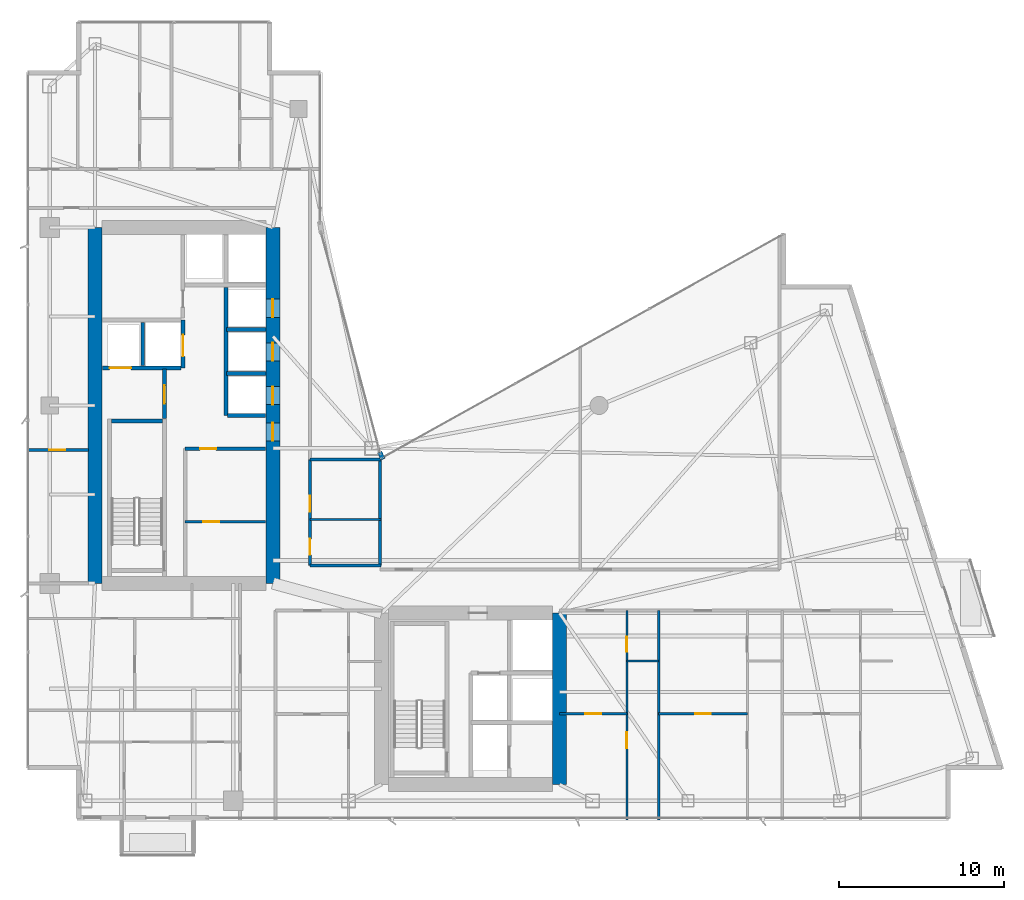
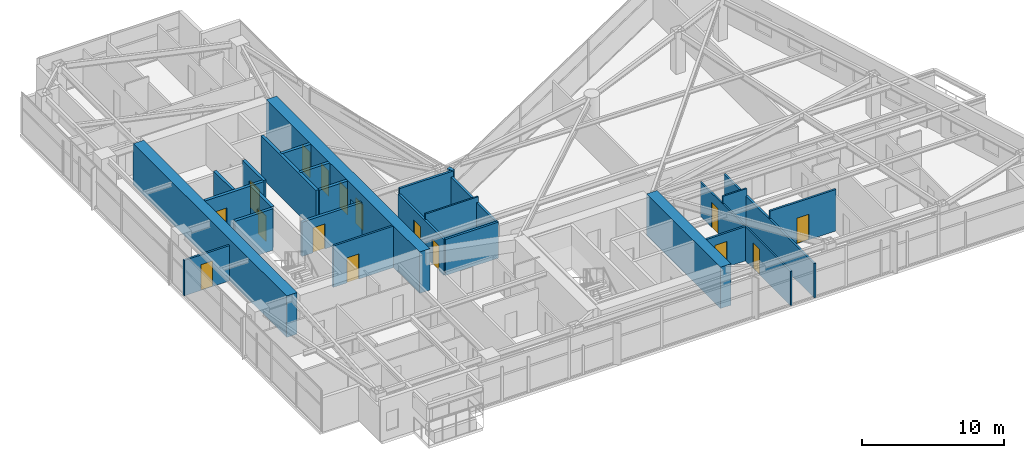
# One storey, part 23 of 28: 26 walls, 16 doors, 16 openings.
"""IFC4 building model written with IfcOpenShell, lengths in metres."""

from ifc_helpers import new_model, si_unit, direction, frame, frame_2d, origin, place, context, subcontext, project, spatial, rectangle, extrude, material, layer, layer_set, type_object, element, fill, save


model = new_model("IFC4")

# Units and contexts
model_context = context("Model", 3, precision=1e-05, world=origin(), true_north=direction((0.0, 1.0)))
body_context = subcontext(model_context, "Body", "Model", "MODEL_VIEW")
ifc_project = project(units=[si_unit("LENGTHUNIT", "METRE"), si_unit("AREAUNIT", "SQUARE_METRE"), si_unit("VOLUMEUNIT", "CUBIC_METRE"), si_unit("PLANEANGLEUNIT", "RADIAN"), si_unit("MASSUNIT", "GRAM", prefix="KILO")], contexts=[model_context])

# Site, building, storey
site_placement = place(None, origin())
site = spatial("IfcSite", under=ifc_project, at=site_placement, CompositionType="ELEMENT")
building_placement = place(site_placement, origin())
building = spatial("IfcBuilding", under=site, at=building_placement, Name="Calvorn Quay Hotel", CompositionType="ELEMENT")
storey_placement = place(building_placement, frame((0.0, 0.0, 152.300048828125)))
storey = spatial("IfcBuildingStorey", under=building, at=storey_placement, Name="L37", CompositionType="ELEMENT", Elevation=152.300048828125)

# Wall
ifc_material_1 = material(Name="Concrete C50", Category="concrete")
ifc_layer_1 = layer(ifc_material_1, 0.85009765625)
ifc_layer_set_1 = layer_set([ifc_layer_1], Name="WL-CORE-850")
wall_type_1 = type_object("IfcWallType", Name="WL-CORE-850", PredefinedType="SHEAR", material=ifc_layer_set_1)
wall_1_placement = place(storey_placement, frame((4.199951171875, 16.800048828125, 0.0), z_axis=(0.0, 0.0, 1.0), x_axis=(0.0, 1.0, 0.0)))
element("IfcWall", 1, at=wall_1_placement, inside=storey, type_object=wall_type_1, Name="West Core Shear Wall W (L37)", PredefinedType="SHEAR", context=body_context, shape_type="SweptSolid", body=[
    extrude(rectangle(XDim=21.599853515625, YDim=0.85009765625, at=frame_2d((10.7998046875, 0.0))), origin(), (0.0, 0.0, 1.0), 3.56005859375),
])

# Wall, openings, doors
wall_2_placement = place(storey_placement, frame((15.0, 16.800048828125, 0.0), z_axis=(0.0, 0.0, 1.0), x_axis=(0.0, 1.0, 0.0)))
wall_2 = element("IfcWall", 2, at=wall_2_placement, inside=storey, type_object=wall_type_1, Name="West Core Shear Wall E (L37)", PredefinedType="SHEAR", context=body_context, shape_type="SweptSolid", body=[
    extrude(rectangle(XDim=21.599853515625, YDim=0.85009765625, at=frame_2d((10.7998046875, 0.0))), origin(), (0.0, 0.0, 1.0), 3.56005859375),
])
opening_1_placement = place(wall_2_placement, frame((8.64990234375, 0.0, 0.0)))
opening_1 = element("IfcOpeningElement", 3, at=opening_1_placement, cuts=wall_2, Name="Opening D-L37-CW1", PredefinedType="OPENING", context=body_context, shape_type="SweptSolid", body=[
    extrude(rectangle(XDim=1.10009765625, YDim=2.199951171875, at=frame_2d((0.550048828125, 1.10009765625))), frame((0.0, 0.43505859375, 0.0), z_axis=(0.0, -1.0, 0.0), x_axis=(1.0, 0.0, 0.0)), (0.0, 0.0, 1.0), 0.8701171875),
])
opening_2_placement = place(wall_2_placement, frame((10.85009765625, 0.0, 0.0)))
opening_2 = element("IfcOpeningElement", 4, at=opening_2_placement, cuts=wall_2, Name="Opening LD-L37-M1", PredefinedType="OPENING", context=body_context, shape_type="SweptSolid", body=[
    extrude(rectangle(XDim=1.10009765625, YDim=2.199951171875, at=frame_2d((0.550048828125, 1.10009765625))), frame((0.0, 0.43505859375, 0.0), z_axis=(0.0, -1.0, 0.0), x_axis=(1.0, 0.0, 0.0)), (0.0, 0.0, 1.0), 0.8701171875),
])
opening_3_placement = place(wall_2_placement, frame((13.5, 0.0, 0.0)))
opening_3 = element("IfcOpeningElement", 5, at=opening_3_placement, cuts=wall_2, Name="Opening LD-L37-M2", PredefinedType="OPENING", context=body_context, shape_type="SweptSolid", body=[
    extrude(rectangle(XDim=1.10009765625, YDim=2.199951171875, at=frame_2d((0.550048828125, 1.10009765625))), frame((0.0, 0.43505859375, 0.0), z_axis=(0.0, -1.0, 0.0), x_axis=(1.0, 0.0, 0.0)), (0.0, 0.0, 1.0), 0.8701171875),
])
opening_4_placement = place(wall_2_placement, frame((16.14990234375, 0.0, 0.0)))
opening_4 = element("IfcOpeningElement", 6, at=opening_4_placement, cuts=wall_2, Name="Opening LD-L37-M3", PredefinedType="OPENING", context=body_context, shape_type="SweptSolid", body=[
    extrude(rectangle(XDim=1.10009765625, YDim=2.199951171875, at=frame_2d((0.550048828125, 1.10009765625))), frame((0.0, 0.43505859375, 0.0), z_axis=(0.0, -1.0, 0.0), x_axis=(1.0, 0.0, 0.0)), (0.0, 0.0, 1.0), 0.8701171875),
])
ifc_material_2 = material(Name="Smoke-Sealed Steel Class A Fire Door", Category="steel")
door_type_1 = type_object("IfcDoorType", Name="DR-FFLOBBY-1100", OperationType="NOTDEFINED", PredefinedType="DOOR", material=ifc_material_2)
door_1_placement = place(opening_1_placement, origin())
door_1 = element("IfcDoor", 7, at=door_1_placement, inside=storey, type_object=door_type_1, Name="West Core Vestibule Fire Door (L37)", OperationType="SINGLE_SWING_RIGHT", OverallHeight=2.199951171875, OverallWidth=1.10009765625, PredefinedType="DOOR", context=body_context, shape_type="SweptSolid", body=[
    extrude(rectangle(XDim=1.10009765625, YDim=2.199951171875, at=frame_2d((0.550048828125, 1.10009765625))), frame((0.0, 0.02490234375, 0.0), z_axis=(0.0, -1.0, 0.0), x_axis=(1.0, 0.0, 0.0)), (0.0, 0.0, 1.0), 0.050048828125),
])
fill(opening_1, door_1)
ifc_material_3 = material(Name="Brushed Stainless Steel Sliding Lift Landing Door", Category="steel")
door_type_2 = type_object("IfcDoorType", Name="DR-LIFT-PASS-1100", OperationType="NOTDEFINED", PredefinedType="DOOR", material=ifc_material_3)
door_2_placement = place(opening_2_placement, origin())
door_2 = element("IfcDoor", 8, at=door_2_placement, inside=storey, type_object=door_type_2, Name="Mid-Rise Lift PL-M1 Landing Door (L37)", OperationType="DOUBLE_DOOR_SLIDING", OverallHeight=2.199951171875, OverallWidth=1.10009765625, PredefinedType="DOOR", context=body_context, shape_type="SweptSolid", body=[
    extrude(rectangle(XDim=1.10009765625, YDim=2.199951171875, at=frame_2d((0.550048828125, 1.10009765625))), frame((0.0, 0.02490234375, 0.0), z_axis=(0.0, -1.0, 0.0), x_axis=(1.0, 0.0, 0.0)), (0.0, 0.0, 1.0), 0.050048828125),
])
fill(opening_2, door_2)
door_3_placement = place(opening_3_placement, origin())
door_3 = element("IfcDoor", 9, at=door_3_placement, inside=storey, type_object=door_type_2, Name="Mid-Rise Lift PL-M2 Landing Door (L37)", OperationType="DOUBLE_DOOR_SLIDING", OverallHeight=2.199951171875, OverallWidth=1.10009765625, PredefinedType="DOOR", context=body_context, shape_type="SweptSolid", body=[
    extrude(rectangle(XDim=1.10009765625, YDim=2.199951171875, at=frame_2d((0.550048828125, 1.10009765625))), frame((0.0, 0.02490234375, 0.0), z_axis=(0.0, -1.0, 0.0), x_axis=(1.0, 0.0, 0.0)), (0.0, 0.0, 1.0), 0.050048828125),
])
fill(opening_3, door_3)
door_4_placement = place(opening_4_placement, origin())
door_4 = element("IfcDoor", 10, at=door_4_placement, inside=storey, type_object=door_type_2, Name="Mid-Rise Lift PL-M3 Landing Door (L37)", OperationType="DOUBLE_DOOR_SLIDING", OverallHeight=2.199951171875, OverallWidth=1.10009765625, PredefinedType="DOOR", context=body_context, shape_type="SweptSolid", body=[
    extrude(rectangle(XDim=1.10009765625, YDim=2.199951171875, at=frame_2d((0.550048828125, 1.10009765625))), frame((0.0, 0.02490234375, 0.0), z_axis=(0.0, -1.0, 0.0), x_axis=(1.0, 0.0, 0.0)), (0.0, 0.0, 1.0), 0.050048828125),
])
fill(opening_4, door_4)

# Walls
wall_3_placement = place(storey_placement, frame((32.39990234375, 4.60009765625, 0.0), z_axis=(0.0, 0.0, 1.0), x_axis=(0.0, 1.0, 0.0)))
element("IfcWall", 11, at=wall_3_placement, inside=storey, type_object=wall_type_1, Name="East Core Shear Wall E (L37)", PredefinedType="SHEAR", context=body_context, shape_type="SweptSolid", body=[
    extrude(rectangle(XDim=10.39990234375, YDim=0.85009765625, at=frame_2d((5.199951171875, 0.0))), origin(), (0.0, 0.0, 1.0), 3.56005859375),
])
ifc_material_4 = material(Name="Acoustic Fireboard Steel-Stud Partition", Category="steel")
ifc_layer_2 = layer(ifc_material_4, 0.179931640625)
ifc_layer_set_2 = layer_set([ifc_layer_2], Name="WL-CORR-FIRE-180")
wall_type_2 = type_object("IfcWallType", Name="WL-CORR-FIRE-180", PredefinedType="PARTITIONING", material=ifc_layer_set_2)
wall_4_placement = place(storey_placement, frame((17.25, 17.8798828125, 0.0), z_axis=(0.0, 0.0, 1.0), x_axis=(1.0, 0.0, 0.0)))
element("IfcWall", 12, at=wall_4_placement, inside=storey, type_object=wall_type_2, Name="Partition Wall L37-WL-HK-S", PredefinedType="PARTITIONING", context=body_context, shape_type="SweptSolid", body=[
    extrude(rectangle(XDim=4.300048828125, YDim=0.179931640625, at=frame_2d((2.14990234375, 0.0))), origin(), (0.0, 0.0, 1.0), 3.08984375),
])
wall_5_placement = place(storey_placement, frame((17.25, 24.320068359375, 0.0), z_axis=(0.0, 0.0, 1.0), x_axis=(1.0, 0.0, 0.0)))
element("IfcWall", 13, at=wall_5_placement, inside=storey, type_object=wall_type_2, Name="Partition Wall L37-WL-HK-N", PredefinedType="PARTITIONING", context=body_context, shape_type="SweptSolid", body=[
    extrude(rectangle(XDim=4.35009765625, YDim=0.179931640625, at=frame_2d((2.175048828125, 0.0))), origin(), (0.0, 0.0, 1.0), 3.56005859375),
])
wall_6_placement = place(storey_placement, frame((21.5, 17.8798828125, 0.0), z_axis=(0.0, 0.0, 1.0), x_axis=(0.0, 1.0, 0.0)))
element("IfcWall", 14, at=wall_6_placement, inside=storey, type_object=wall_type_2, Name="Partition Wall L37-WL-HK-E", PredefinedType="PARTITIONING", context=body_context, shape_type="SweptSolid", body=[
    extrude(rectangle(XDim=6.440185546875, YDim=0.179931640625, at=frame_2d((3.22021484375, 0.0))), origin(), (0.0, 0.0, 1.0), 3.08984375),
])

# Wall, openings, doors
wall_7_placement = place(storey_placement, frame((17.25, 17.8798828125, 0.0), z_axis=(0.0, 0.0, 1.0), x_axis=(0.0, 1.0, 0.0)))
wall_7 = element("IfcWall", 15, at=wall_7_placement, inside=storey, type_object=wall_type_2, Name="Partition Wall L37-WL-HK-W", PredefinedType="PARTITIONING", context=body_context, shape_type="SweptSolid", body=[
    extrude(rectangle(XDim=6.440185546875, YDim=0.179931640625, at=frame_2d((3.22021484375, 0.0))), origin(), (0.0, 0.0, 1.0), 3.08984375),
])
opening_5_placement = place(wall_7_placement, frame((0.64990234375, 0.0, 0.0)))
opening_5 = element("IfcOpeningElement", 16, at=opening_5_placement, cuts=wall_7, Name="Opening D-L37-HK", PredefinedType="OPENING", context=body_context, shape_type="SweptSolid", body=[
    extrude(rectangle(XDim=0.97998046875, YDim=2.14990234375, at=frame_2d((0.489990234375, 1.074951171875))), frame((0.0, 0.099853515625, 0.0), z_axis=(0.0, -1.0, 0.0), x_axis=(1.0, 0.0, 0.0)), (0.0, 0.0, 1.0), 0.199951171875),
])
opening_6_placement = place(wall_7_placement, frame((3.27001953125, 0.0, 0.0)))
opening_6 = element("IfcOpeningElement", 17, at=opening_6_placement, cuts=wall_7, Name="Opening D-L37-NCP", PredefinedType="OPENING", context=body_context, shape_type="SweptSolid", body=[
    extrude(rectangle(XDim=0.9599609375, YDim=2.199951171875, at=frame_2d((0.47998046875, 1.10009765625))), frame((0.0, 0.099853515625, 0.0), z_axis=(0.0, -1.0, 0.0), x_axis=(1.0, 0.0, 0.0)), (0.0, 0.0, 1.0), 0.199951171875),
])
ifc_material_5 = material(Name="Painted Steel Housekeeping/Riser Fire Door", Category="steel")
door_type_3 = type_object("IfcDoorType", Name="DR-SERVICE-980", OperationType="NOTDEFINED", PredefinedType="DOOR", material=ifc_material_5)
door_5_placement = place(opening_5_placement, origin())
door_5 = element("IfcDoor", 18, at=door_5_placement, inside=storey, type_object=door_type_3, Name="Floor Housekeeping Door (L37)", OperationType="SINGLE_SWING_LEFT", OverallHeight=2.14990234375, OverallWidth=0.97998046875, PredefinedType="DOOR", context=body_context, shape_type="SweptSolid", body=[
    extrude(rectangle(XDim=0.97998046875, YDim=2.14990234375, at=frame_2d((0.489990234375, 1.074951171875))), frame((0.0, 0.02490234375, 0.0), z_axis=(0.0, -1.0, 0.0), x_axis=(1.0, 0.0, 0.0)), (0.0, 0.0, 1.0), 0.050048828125),
])
fill(opening_5, door_5)
ifc_material_6 = material(Name="Solid Timber Internal Suite Door", Category="wood")
door_type_4 = type_object("IfcDoorType", Name="DR-SUITE-INT-960", OperationType="NOTDEFINED", PredefinedType="DOOR", material=ifc_material_6)
door_6_placement = place(opening_6_placement, origin())
door_6 = element("IfcDoor", 19, at=door_6_placement, inside=storey, type_object=door_type_4, Name="Reading Alcove Door (L37)", OperationType="SINGLE_SWING_RIGHT", OverallHeight=2.199951171875, OverallWidth=0.9599609375, PredefinedType="DOOR", context=body_context, shape_type="SweptSolid", body=[
    extrude(rectangle(XDim=0.9599609375, YDim=2.199951171875, at=frame_2d((0.47998046875, 1.10009765625))), frame((0.0, 0.02490234375, 0.0), z_axis=(0.0, -1.0, 0.0), x_axis=(1.0, 0.0, 0.0)), (0.0, 0.0, 1.0), 0.050048828125),
])
fill(opening_6, door_6)

# Walls
ifc_material_7 = material(Name="Moisture-Resistant Tile-Backed Partition")
ifc_layer_3 = layer(ifc_material_7, 0.125)
ifc_layer_set_3 = layer_set([ifc_layer_3], Name="WL-ENSUITE-125")
wall_type_3 = type_object("IfcWallType", Name="WL-ENSUITE-125", PredefinedType="PARTITIONING", material=ifc_layer_set_3)
wall_8_placement = place(storey_placement, frame((17.25, 20.679931640625, 0.0), z_axis=(0.0, 0.0, 1.0), x_axis=(1.0, 0.0, 0.0)))
element("IfcWall", 20, at=wall_8_placement, inside=storey, type_object=wall_type_3, Name="Partition Wall L37-WL-HK-M", PredefinedType="PARTITIONING", context=body_context, shape_type="SweptSolid", body=[
    extrude(rectangle(XDim=4.300048828125, YDim=0.125, at=frame_2d((2.14990234375, 0.0))), origin(), (0.0, 0.0, 1.0), 3.56005859375),
])
wall_9_placement = place(storey_placement, frame((36.489990234375, 12.10009765625, 0.0), z_axis=(0.0, 0.0, 1.0), x_axis=(1.0, 0.0, 0.0)))
element("IfcWall", 21, at=wall_9_placement, inside=storey, type_object=wall_type_3, Name="Partition Wall L37-WL-U06-BDV", PredefinedType="PARTITIONING", context=body_context, shape_type="SweptSolid", body=[
    extrude(rectangle(XDim=1.929931640625, YDim=0.125, at=frame_2d((0.96484375, 0.0))), origin(), (0.0, 0.0, 1.0), 3.56005859375),
])

# Wall, openings, doors
wall_10_placement = place(storey_placement, frame((36.489990234375, 2.43994140625, 0.0), z_axis=(0.0, 0.0, 1.0), x_axis=(0.0, 1.0, 0.0)))
wall_10 = element("IfcWall", 22, at=wall_10_placement, inside=storey, type_object=wall_type_3, Name="Partition Wall L37-WL-U06-BV", PredefinedType="PARTITIONING", context=body_context, shape_type="SweptSolid", body=[
    extrude(rectangle(XDim=12.7099609375, YDim=0.125, at=frame_2d((6.35498046875, 0.0))), origin(), (0.0, 0.0, 1.0), 2.93994140625),
])
opening_7_placement = place(wall_10_placement, frame((4.35009765625, 0.0, 0.0)))
opening_7 = element("IfcOpeningElement", 23, at=opening_7_placement, cuts=wall_10, Name="Opening D-L37-S06", PredefinedType="OPENING", context=body_context, shape_type="SweptSolid", body=[
    extrude(rectangle(XDim=0.9599609375, YDim=2.199951171875, at=frame_2d((0.47998046875, 1.10009765625))), frame((0.0, 0.072509765625, 0.0), z_axis=(0.0, -1.0, 0.0), x_axis=(1.0, 0.0, 0.0)), (0.0, 0.0, 1.0), 0.14501953125),
])
opening_8_placement = place(wall_10_placement, frame((10.2099609375, 0.0, 0.0)))
opening_8 = element("IfcOpeningElement", 24, at=opening_8_placement, cuts=wall_10, Name="Opening D-L37-E06", PredefinedType="OPENING", context=body_context, shape_type="SweptSolid", body=[
    extrude(rectangle(XDim=0.89990234375, YDim=2.14990234375, at=frame_2d((0.449951171875, 1.074951171875))), frame((0.0, 0.072509765625, 0.0), z_axis=(0.0, -1.0, 0.0), x_axis=(1.0, 0.0, 0.0)), (0.0, 0.0, 1.0), 0.14501953125),
])
ifc_material_8 = material(Name="Moisture-Sealed Timber En-Suite Door", Category="wood")
door_type_5 = type_object("IfcDoorType", Name="DR-ENSUITE-900", OperationType="NOTDEFINED", PredefinedType="DOOR", material=ifc_material_8)
door_7_placement = place(opening_8_placement, origin())
door_7 = element("IfcDoor", 25, at=door_7_placement, inside=storey, type_object=door_type_5, Name="En-Suite Door 06", OperationType="SINGLE_SWING_RIGHT", OverallHeight=2.14990234375, OverallWidth=0.89990234375, PredefinedType="DOOR", context=body_context, shape_type="SweptSolid", body=[
    extrude(rectangle(XDim=0.89990234375, YDim=2.14990234375, at=frame_2d((0.449951171875, 1.074951171875))), frame((0.0, 0.02490234375, 0.0), z_axis=(0.0, -1.0, 0.0), x_axis=(1.0, 0.0, 0.0)), (0.0, 0.0, 1.0), 0.050048828125),
])
fill(opening_8, door_7)
door_8_placement = place(opening_7_placement, origin())
door_8 = element("IfcDoor", 26, at=door_8_placement, inside=storey, type_object=door_type_4, Name="Spa Therapy Room Door 06", OperationType="SINGLE_SWING_LEFT", OverallHeight=2.199951171875, OverallWidth=0.9599609375, PredefinedType="DOOR", context=body_context, shape_type="SweptSolid", body=[
    extrude(rectangle(XDim=0.9599609375, YDim=2.199951171875, at=frame_2d((0.47998046875, 1.10009765625))), frame((0.0, 0.02490234375, 0.0), z_axis=(0.0, -1.0, 0.0), x_axis=(1.0, 0.0, 0.0)), (0.0, 0.0, 1.0), 0.050048828125),
])
fill(opening_7, door_8)

# Wall
ifc_material_9 = material(Name="Concrete C40", Category="concrete")
ifc_layer_4 = layer(ifc_material_9, 0.320068359375)
ifc_layer_set_4 = layer_set([ifc_layer_4], Name="WL-EXT-SPANDREL-320")
wall_type_4 = type_object("IfcWallType", Name="WL-EXT-SPANDREL-320", PredefinedType="SOLIDWALL", material=ifc_layer_set_4)
wall_11_placement = place(storey_placement, frame((21.679931640625, 24.340087890625, 0.0), z_axis=(0.0, 0.0, 1.0), x_axis=(-0.40758134973, 0.913168901875, 0.0)))
element("IfcWall", 27, at=wall_11_placement, inside=storey, type_object=wall_type_4, Name="Inner Court Corner Pier L37-ICJ1", PredefinedType="SOLIDWALL", context=body_context, shape_type="SweptSolid", body=[
    extrude(rectangle(XDim=0.470703125, YDim=0.280029296875, at=frame_2d((0.2353515625, 0.0))), origin(), (0.0, 0.0, 1.0), 3.56005859375),
])

# Wall, opening, door
ifc_material_10 = material(Name="Double-Stud Acoustic Gypsum Partition")
ifc_layer_5 = layer(ifc_material_10, 0.159912109375)
ifc_layer_set_5 = layer_set([ifc_layer_5], Name="WL-INTERSUITE-160")
wall_type_5 = type_object("IfcWallType", Name="WL-INTERSUITE-160", PredefinedType="PARTITIONING", material=ifc_layer_set_5)
wall_12_placement = place(storey_placement, frame((9.679931640625, 20.550048828125, 0.0), z_axis=(0.0, 0.0, 1.0), x_axis=(1.0, 0.0, 0.0)))
wall_12 = element("IfcWall", 28, at=wall_12_placement, inside=storey, type_object=wall_type_5, Name="Partition Wall L37-WL-CWW-FR-SPLIT", PredefinedType="PARTITIONING", context=body_context, shape_type="SweptSolid", body=[
    extrude(rectangle(XDim=4.875, YDim=0.159912109375, at=frame_2d((2.4375, 0.0))), origin(), (0.0, 0.0, 1.0), 3.56005859375),
])
opening_9_placement = place(wall_12_placement, frame((1.10009765625, 0.0, 0.0)))
opening_9 = element("IfcOpeningElement", 29, at=opening_9_placement, cuts=wall_12, Name="Opening D-L37-FRL1", PredefinedType="OPENING", context=body_context, shape_type="SweptSolid", body=[
    extrude(rectangle(XDim=0.97998046875, YDim=2.14990234375, at=frame_2d((0.489990234375, 1.074951171875))), frame((0.0, 0.08984375, 0.0), z_axis=(0.0, -1.0, 0.0), x_axis=(1.0, 0.0, 0.0)), (0.0, 0.0, 1.0), 0.179931640625),
])
door_9_placement = place(opening_9_placement, origin())
door_9 = element("IfcDoor", 30, at=door_9_placement, inside=storey, type_object=door_type_3, Name="Linen Store Room Door (L37)", OperationType="SINGLE_SWING_LEFT", OverallHeight=2.14990234375, OverallWidth=0.97998046875, PredefinedType="DOOR", context=body_context, shape_type="SweptSolid", body=[
    extrude(rectangle(XDim=0.97998046875, YDim=2.14990234375, at=frame_2d((0.489990234375, 1.074951171875))), frame((0.0, 0.02490234375, 0.0), z_axis=(0.0, -1.0, 0.0), x_axis=(1.0, 0.0, 0.0)), (0.0, 0.0, 1.0), 0.050048828125),
])
fill(opening_9, door_9)

wall_13_placement = place(storey_placement, frame((0.080078125, 24.89990234375, 0.0), z_axis=(0.0, 0.0, 1.0), x_axis=(1.0, 0.0, 0.0)))
wall_13 = element("IfcWall", 31, at=wall_13_placement, inside=storey, type_object=wall_type_5, Name="Partition Wall L37-WL-WBAY-DIV", PredefinedType="PARTITIONING", context=body_context, shape_type="SweptSolid", body=[
    extrude(rectangle(XDim=3.724853515625, YDim=0.159912109375, at=frame_2d((1.8623046875, 0.0))), origin(), (0.0, 0.0, 1.0), 3.0400390625),
])
opening_10_placement = place(wall_13_placement, frame((1.35009765625, 0.0, 0.0)))
opening_10 = element("IfcOpeningElement", 32, at=opening_10_placement, cuts=wall_13, Name="Opening D-L37-WBD", PredefinedType="OPENING", context=body_context, shape_type="SweptSolid", body=[
    extrude(rectangle(XDim=0.9599609375, YDim=2.199951171875, at=frame_2d((0.47998046875, 1.10009765625))), frame((0.0, 0.08984375, 0.0), z_axis=(0.0, -1.0, 0.0), x_axis=(1.0, 0.0, 0.0)), (0.0, 0.0, 1.0), 0.179931640625),
])
door_10_placement = place(opening_10_placement, origin())
door_10 = element("IfcDoor", 33, at=door_10_placement, inside=storey, type_object=door_type_4, Name="West Bay Connecting Door (L37)", OperationType="SINGLE_SWING_LEFT", OverallHeight=2.199951171875, OverallWidth=0.9599609375, PredefinedType="DOOR", context=body_context, shape_type="SweptSolid", body=[
    extrude(rectangle(XDim=0.9599609375, YDim=2.199951171875, at=frame_2d((0.47998046875, 1.10009765625))), frame((0.0, 0.02490234375, 0.0), z_axis=(0.0, -1.0, 0.0), x_axis=(1.0, 0.0, 0.0)), (0.0, 0.0, 1.0), 0.050048828125),
])
fill(opening_10, door_10)

wall_14_placement = place(storey_placement, frame((32.39990234375, 8.8798828125, 0.0), z_axis=(0.0, 0.0, 1.0), x_axis=(1.0, 0.0, 0.0)))
wall_14 = element("IfcWall", 34, at=wall_14_placement, inside=storey, type_object=wall_type_5, Name="Partition Wall L37-WL-U06-MSP", PredefinedType="PARTITIONING", context=body_context, shape_type="SweptSolid", body=[
    extrude(rectangle(XDim=4.090087890625, YDim=0.159912109375, at=frame_2d((2.044921875, 0.0))), origin(), (0.0, 0.0, 1.0), 2.93994140625),
])
opening_11_placement = place(wall_14_placement, frame((1.570068359375, 0.0, 0.0)))
opening_11 = element("IfcOpeningElement", 35, at=opening_11_placement, cuts=wall_14, Name="Opening D-L37-M06", PredefinedType="OPENING", context=body_context, shape_type="SweptSolid", body=[
    extrude(rectangle(XDim=0.9599609375, YDim=2.199951171875, at=frame_2d((0.47998046875, 1.10009765625))), frame((0.0, 0.08984375, 0.0), z_axis=(0.0, -1.0, 0.0), x_axis=(1.0, 0.0, 0.0)), (0.0, 0.0, 1.0), 0.179931640625),
])
door_11_placement = place(opening_11_placement, origin())
door_11 = element("IfcDoor", 36, at=door_11_placement, inside=storey, type_object=door_type_4, Name="Suite Bedroom Door 06", OperationType="SINGLE_SWING_LEFT", OverallHeight=2.199951171875, OverallWidth=0.9599609375, PredefinedType="DOOR", context=body_context, shape_type="SweptSolid", body=[
    extrude(rectangle(XDim=0.9599609375, YDim=2.199951171875, at=frame_2d((0.47998046875, 1.10009765625))), frame((0.0, 0.02490234375, 0.0), z_axis=(0.0, -1.0, 0.0), x_axis=(1.0, 0.0, 0.0)), (0.0, 0.0, 1.0), 0.050048828125),
])
fill(opening_11, door_11)

wall_15_placement = place(storey_placement, frame((38.419921875, 8.8798828125, 0.0), z_axis=(0.0, 0.0, 1.0), x_axis=(1.0, 0.0, 0.0)))
wall_15 = element("IfcWall", 37, at=wall_15_placement, inside=storey, type_object=wall_type_5, Name="Partition Wall L37-WL-U07-MSP", PredefinedType="PARTITIONING", context=body_context, shape_type="SweptSolid", body=[
    extrude(rectangle(XDim=5.380126953125, YDim=0.159912109375, at=frame_2d((2.68994140625, 0.0))), origin(), (0.0, 0.0, 1.0), 3.56005859375),
])
opening_12_placement = place(wall_15_placement, frame((2.2099609375, 0.0, 0.0)))
opening_12 = element("IfcOpeningElement", 38, at=opening_12_placement, cuts=wall_15, Name="Opening D-L37-M07", PredefinedType="OPENING", context=body_context, shape_type="SweptSolid", body=[
    extrude(rectangle(XDim=0.9599609375, YDim=2.199951171875, at=frame_2d((0.47998046875, 1.10009765625))), frame((0.0, 0.08984375, 0.0), z_axis=(0.0, -1.0, 0.0), x_axis=(1.0, 0.0, 0.0)), (0.0, 0.0, 1.0), 0.179931640625),
])
door_12_placement = place(opening_12_placement, origin())
door_12 = element("IfcDoor", 39, at=door_12_placement, inside=storey, type_object=door_type_4, Name="Suite Bedroom Door 07", OperationType="SINGLE_SWING_LEFT", OverallHeight=2.199951171875, OverallWidth=0.9599609375, PredefinedType="DOOR", context=body_context, shape_type="SweptSolid", body=[
    extrude(rectangle(XDim=0.9599609375, YDim=2.199951171875, at=frame_2d((0.47998046875, 1.10009765625))), frame((0.0, 0.02490234375, 0.0), z_axis=(0.0, -1.0, 0.0), x_axis=(1.0, 0.0, 0.0)), (0.0, 0.0, 1.0), 0.050048828125),
])
fill(opening_12, door_12)

# Wall
wall_16_placement = place(storey_placement, frame((38.419921875, 2.43994140625, 0.0), z_axis=(0.0, 0.0, 1.0), x_axis=(0.0, 1.0, 0.0)))
element("IfcWall", 40, at=wall_16_placement, inside=storey, type_object=wall_type_5, Name="Partition Wall L37-WL-SE-DIV-1", PredefinedType="PARTITIONING", context=body_context, shape_type="SweptSolid", body=[
    extrude(rectangle(XDim=12.7099609375, YDim=0.159912109375, at=frame_2d((6.35498046875, 0.0))), origin(), (0.0, 0.0, 1.0), 2.93994140625),
])

# Wall, opening, door
ifc_material_11 = material(Name="Autoclaved Aerated Masonry Block", Category="masonry")
ifc_layer_6 = layer(ifc_material_11, 0.219970703125)
ifc_layer_set_6 = layer_set([ifc_layer_6], Name="WL-LOBBY-FIRE-220")
wall_type_6 = type_object("IfcWallType", Name="WL-LOBBY-FIRE-220", PredefinedType="SOLIDWALL", material=ifc_layer_set_6)
wall_17_placement = place(storey_placement, frame((9.679931640625, 24.969970703125, 0.0), z_axis=(0.0, 0.0, 1.0), x_axis=(1.0, 0.0, 0.0)))
wall_17 = element("IfcWall", 41, at=wall_17_placement, inside=storey, type_object=wall_type_6, Name="Partition Wall L37-WL-CWW-FR-N", PredefinedType="SOLIDWALL", context=body_context, shape_type="SweptSolid", body=[
    extrude(rectangle(XDim=4.875, YDim=0.219970703125, at=frame_2d((2.4375, 0.0))), origin(), (0.0, 0.0, 1.0), 2.93994140625),
])
opening_13_placement = place(wall_17_placement, frame((0.89990234375, 0.0, 0.0)))
opening_13 = element("IfcOpeningElement", 42, at=opening_13_placement, cuts=wall_17, Name="Opening D-L37-FRL2", PredefinedType="OPENING", context=body_context, shape_type="SweptSolid", body=[
    extrude(rectangle(XDim=0.97998046875, YDim=2.14990234375, at=frame_2d((0.489990234375, 1.074951171875))), frame((0.0, 0.119873046875, 0.0), z_axis=(0.0, -1.0, 0.0), x_axis=(1.0, 0.0, 0.0)), (0.0, 0.0, 1.0), 0.239990234375),
])
door_13_placement = place(opening_13_placement, origin())
door_13 = element("IfcDoor", 43, at=door_13_placement, inside=storey, type_object=door_type_3, Name="Beverage Pantry Door (L37)", OperationType="SINGLE_SWING_RIGHT", OverallHeight=2.14990234375, OverallWidth=0.97998046875, PredefinedType="DOOR", context=body_context, shape_type="SweptSolid", body=[
    extrude(rectangle(XDim=0.97998046875, YDim=2.14990234375, at=frame_2d((0.489990234375, 1.074951171875))), frame((0.0, 0.02490234375, 0.0), z_axis=(0.0, -1.0, 0.0), x_axis=(1.0, 0.0, 0.0)), (0.0, 0.0, 1.0), 0.050048828125),
])
fill(opening_13, door_13)

# Walls
ifc_material_12 = material(Name="Concrete C40", Category="concrete")
ifc_layer_7 = layer(ifc_material_12, 0.239990234375)
ifc_layer_set_7 = layer_set([ifc_layer_7], Name="WL-SHAFT-240")
wall_type_7 = type_object("IfcWallType", Name="WL-SHAFT-240", PredefinedType="SOLIDWALL", material=ifc_layer_set_7)
wall_18_placement = place(storey_placement, frame((5.199951171875, 26.669921875, 0.0), z_axis=(0.0, 0.0, 1.0), x_axis=(1.0, 0.0, 0.0)))
element("IfcWall", 44, at=wall_18_placement, inside=storey, type_object=wall_type_7, Name="Stair STW Shaft Wall N (L37)", PredefinedType="SOLIDWALL", context=body_context, shape_type="SweptSolid", body=[
    extrude(rectangle(XDim=3.10009765625, YDim=0.239990234375, at=frame_2d((1.550048828125, 0.0))), origin(), (0.0, 0.0, 1.0), 3.56005859375),
])
for number, where, z_axis, x_axis, name in (
    (45, (12.179931640625, 29.550048828125, 0.0), (0.0, 0.0, 1.0), (1.0, 0.0, 0.0), "Lift Hoistway Divider Wall PLM12 (L37)"),
    (46, (12.179931640625, 32.199951171875, 0.0), (0.0, 0.0, 1.0), (1.0, 0.0, 0.0), "Lift Hoistway Divider Wall PLM23 (L37)"),
):
    element("IfcWall", number, at=place(storey_placement, frame(where, z_axis=z_axis, x_axis=x_axis)), inside=storey, type_object=wall_type_7, Name=name, PredefinedType="SOLIDWALL", context=body_context, shape_type="SweptSolid", body=[
        extrude(rectangle(XDim=2.39501953125, YDim=0.239990234375, at=frame_2d((1.197509765625, 0.0))), origin(), (0.0, 0.0, 1.0), 3.56005859375),
    ])

# Wall, opening, door
wall_19_placement = place(storey_placement, frame((8.419921875, 26.820068359375, 0.0), z_axis=(0.0, 0.0, 1.0), x_axis=(0.0, 1.0, 0.0)))
wall_19 = element("IfcWall", 47, at=wall_19_placement, inside=storey, type_object=wall_type_7, Name="Partition Wall L37-WL-CWW-FFL-E", PredefinedType="SOLIDWALL", context=body_context, shape_type="SweptSolid", body=[
    extrude(rectangle(XDim=3.0, YDim=0.239990234375, at=frame_2d((1.5, 0.0))), origin(), (0.0, 0.0, 1.0), 3.56005859375),
])
opening_14_placement = place(wall_19_placement, frame((0.89990234375, 0.0, 0.0)))
opening_14 = element("IfcOpeningElement", 48, at=opening_14_placement, cuts=wall_19, Name="Opening D-L37-FLW", PredefinedType="OPENING", context=body_context, shape_type="SweptSolid", body=[
    extrude(rectangle(XDim=1.10009765625, YDim=2.199951171875, at=frame_2d((0.550048828125, 1.10009765625))), frame((0.0, 0.1298828125, 0.0), z_axis=(0.0, -1.0, 0.0), x_axis=(1.0, 0.0, 0.0)), (0.0, 0.0, 1.0), 0.260009765625),
])
door_14_placement = place(opening_14_placement, origin())
door_14 = element("IfcDoor", 49, at=door_14_placement, inside=storey, type_object=door_type_1, Name="West Firefighting Lobby Fire Door (L37)", OperationType="SINGLE_SWING_RIGHT", OverallHeight=2.199951171875, OverallWidth=1.10009765625, PredefinedType="DOOR", context=body_context, shape_type="SweptSolid", body=[
    extrude(rectangle(XDim=1.10009765625, YDim=2.199951171875, at=frame_2d((0.550048828125, 1.10009765625))), frame((0.0, 0.02490234375, 0.0), z_axis=(0.0, -1.0, 0.0), x_axis=(1.0, 0.0, 0.0)), (0.0, 0.0, 1.0), 0.050048828125),
])
fill(opening_14, door_14)

wall_20_placement = place(storey_placement, frame((4.64501953125, 29.8798828125, 0.0), z_axis=(0.0, 0.0, 1.0), x_axis=(1.0, 0.0, 0.0)))
wall_20 = element("IfcWall", 50, at=wall_20_placement, inside=storey, type_object=wall_type_7, Name="Partition Wall L37-WL-CWW-FLW-S", PredefinedType="SOLIDWALL", context=body_context, shape_type="SweptSolid", body=[
    extrude(rectangle(XDim=4.77490234375, YDim=0.239990234375, at=frame_2d((2.387451171875, 0.0))), origin(), (0.0, 0.0, 1.0), 3.56005859375),
])
opening_15_placement = place(wall_20_placement, frame((0.449951171875, 0.0, 0.0)))
opening_15 = element("IfcOpeningElement", 51, at=opening_15_placement, cuts=wall_20, Name="Opening LD-L37-FLW1", PredefinedType="OPENING", context=body_context, shape_type="SweptSolid", body=[
    extrude(rectangle(XDim=1.300048828125, YDim=2.35009765625, at=frame_2d((0.64990234375, 1.175048828125))), frame((0.0, 0.1298828125, 0.0), z_axis=(0.0, -1.0, 0.0), x_axis=(1.0, 0.0, 0.0)), (0.0, 0.0, 1.0), 0.260009765625),
])
ifc_material_13 = material(Name="Champagne-Bronze Sliding Express Lift Landing Door")
door_type_6 = type_object("IfcDoorType", Name="DR-LIFT-SHUTTLE-1300", OperationType="NOTDEFINED", PredefinedType="DOOR", material=ifc_material_13)
door_15_placement = place(opening_15_placement, origin())
door_15 = element("IfcDoor", 52, at=door_15_placement, inside=storey, type_object=door_type_6, Name="Firefighting Lift FL-W1 Landing Door (L37)", OperationType="DOUBLE_DOOR_SLIDING", OverallHeight=2.35009765625, OverallWidth=1.300048828125, PredefinedType="DOOR", context=body_context, shape_type="SweptSolid", body=[
    extrude(rectangle(XDim=1.300048828125, YDim=2.35009765625, at=frame_2d((0.64990234375, 1.175048828125))), frame((0.0, 0.02490234375, 0.0), z_axis=(0.0, -1.0, 0.0), x_axis=(1.0, 0.0, 0.0)), (0.0, 0.0, 1.0), 0.050048828125),
])
fill(opening_15, door_15)

# Wall
wall_21_placement = place(storey_placement, frame((7.10009765625, 30.02001953125, 0.0), z_axis=(0.0, 0.0, 1.0), x_axis=(0.0, 1.0, 0.0)))
element("IfcWall", 53, at=wall_21_placement, inside=storey, type_object=wall_type_7, Name="Partition Wall L37-WL-CWW-FLW-DIV", PredefinedType="SOLIDWALL", context=body_context, shape_type="SweptSolid", body=[
    extrude(rectangle(XDim=2.6298828125, YDim=0.239990234375, at=frame_2d((1.31494140625, 0.0))), origin(), (0.0, 0.0, 1.0), 3.56005859375),
])

# Wall, opening, door
wall_22_placement = place(storey_placement, frame((9.5400390625, 29.8798828125, 0.0), z_axis=(0.0, 0.0, 1.0), x_axis=(0.0, 1.0, 0.0)))
wall_22 = element("IfcWall", 54, at=wall_22_placement, inside=storey, type_object=wall_type_7, Name="Partition Wall L37-WL-CWW-SLW-E", PredefinedType="SOLIDWALL", context=body_context, shape_type="SweptSolid", body=[
    extrude(rectangle(XDim=2.900146484375, YDim=0.239990234375, at=frame_2d((1.4501953125, 0.0))), origin(), (0.0, 0.0, 1.0), 3.56005859375),
])
opening_16_placement = place(wall_22_placement, frame((0.699951171875, 0.0, 0.0)))
opening_16 = element("IfcOpeningElement", 55, at=opening_16_placement, cuts=wall_22, Name="Opening LD-L37-SLW1", PredefinedType="OPENING", context=body_context, shape_type="SweptSolid", body=[
    extrude(rectangle(XDim=1.300048828125, YDim=2.35009765625, at=frame_2d((0.64990234375, 1.175048828125))), frame((0.0, 0.1298828125, 0.0), z_axis=(0.0, -1.0, 0.0), x_axis=(1.0, 0.0, 0.0)), (0.0, 0.0, 1.0), 0.260009765625),
])
door_16_placement = place(opening_16_placement, origin())
door_16 = element("IfcDoor", 56, at=door_16_placement, inside=storey, type_object=door_type_6, Name="Service Lift SL-W1 Landing Door (L37)", OperationType="DOUBLE_DOOR_SLIDING", OverallHeight=2.35009765625, OverallWidth=1.300048828125, PredefinedType="DOOR", context=body_context, shape_type="SweptSolid", body=[
    extrude(rectangle(XDim=1.300048828125, YDim=2.35009765625, at=frame_2d((0.64990234375, 1.175048828125))), frame((0.0, 0.02490234375, 0.0), z_axis=(0.0, -1.0, 0.0), x_axis=(1.0, 0.0, 0.0)), (0.0, 0.0, 1.0), 0.050048828125),
])
fill(opening_16, door_16)

# Walls
wall_23_placement = place(storey_placement, frame((12.25, 27.0, 0.0), z_axis=(0.0, 0.0, 1.0), x_axis=(1.0, 0.0, 0.0)))
element("IfcWall", 57, at=wall_23_placement, inside=storey, type_object=wall_type_7, Name="Partition Wall L37-WL-CWW-PLM-S", PredefinedType="SOLIDWALL", context=body_context, shape_type="SweptSolid", body=[
    extrude(rectangle(XDim=2.304931640625, YDim=0.239990234375, at=frame_2d((1.15234375, 0.0))), origin(), (0.0, 0.0, 1.0), 3.56005859375),
])
wall_24_placement = place(storey_placement, frame((12.14990234375, 27.0, 0.0), z_axis=(0.0, 0.0, 1.0), x_axis=(0.0, 1.0, 0.0)))
element("IfcWall", 58, at=wall_24_placement, inside=storey, type_object=wall_type_7, Name="Partition Wall L37-WL-CWW-PLM-W", PredefinedType="SOLIDWALL", context=body_context, shape_type="SweptSolid", body=[
    extrude(rectangle(XDim=7.75, YDim=0.239990234375, at=frame_2d((3.875, 0.0))), origin(), (0.0, 0.0, 1.0), 3.56005859375),
])

save(model, "model.ifc")
